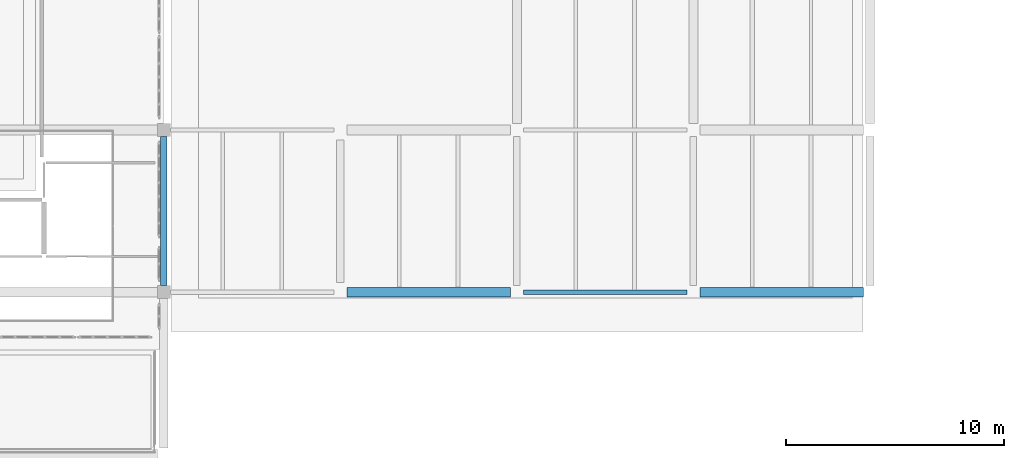
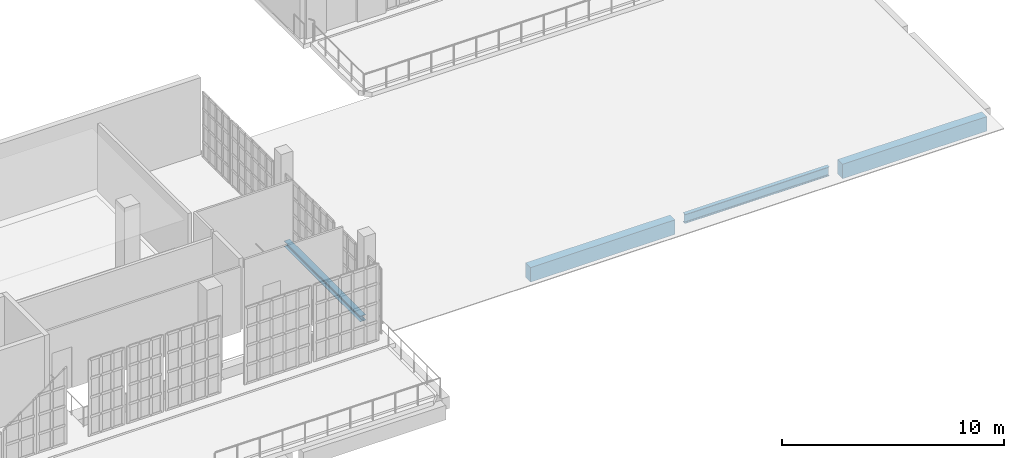
# One storey, part 15 of 56: 4 beams.
"""IFC4 building model written with IfcOpenShell, lengths in metres."""

from ifc_helpers import new_model, si_unit, direction, frame, origin, origin_2d, place, context, subcontext, project, spatial, rectangle, i_section, extrude, material, material_profile, profile_set, type_object, element, save


model = new_model("IFC4")

# Units and contexts
model_context = context("Model", 3, precision=1e-05, world=origin(), true_north=direction((0.0, 1.0)))
body_context = subcontext(model_context, "Body", "Model", "MODEL_VIEW")
ifc_project = project(units=[si_unit("LENGTHUNIT", "METRE"), si_unit("AREAUNIT", "SQUARE_METRE"), si_unit("VOLUMEUNIT", "CUBIC_METRE"), si_unit("PLANEANGLEUNIT", "RADIAN"), si_unit("MASSUNIT", "GRAM", prefix="KILO")], contexts=[model_context])

# Site, building, storey
site_placement = place(None, origin())
site = spatial("IfcSite", under=ifc_project, at=site_placement, CompositionType="ELEMENT")
building_placement = place(site_placement, origin())
building = spatial("IfcBuilding", under=site, at=building_placement, Name="Kaelora Sail Theatre", CompositionType="ELEMENT")
storey_placement = place(building_placement, frame((0.0, 0.0, 14.699951171875)))
storey = spatial("IfcBuildingStorey", under=building, at=storey_placement, Name="L03", CompositionType="ELEMENT", Elevation=14.699951171875)

# Beams
ifc_material_1 = material(Name="Steel S355", Category="steel")
ifc_material_profile_1 = material_profile(ifc_material_1, i_section(OverallWidth=0.300048828125, OverallDepth=0.31005859375, WebThickness=0.009033203125, FlangeThickness=0.015380859375, FilletRadius=0.027099609375, at=origin_2d()), Name="HEA 320")
ifc_profile_set_1 = profile_set([ifc_material_profile_1], Name="Steel S355")
beam_type_1 = type_object("IfcBeamType", Name="STR-BM-BM-HEA320", PredefinedType="BEAM", material=ifc_profile_set_1)
beam_1_placement = place(storey_placement, frame((90.60009765625, 68.760009765625, -0.429931640625), z_axis=(0.0, 1.0, 0.0), x_axis=(-1.0, 0.0, 0.0)))
element("IfcBeam", 1, at=beam_1_placement, inside=storey, type_object=beam_type_1, Name="Primary beam 12 J-K (L03)", PredefinedType="BEAM", context=body_context, shape_type="SweptSolid", body=[
    extrude(i_section(OverallWidth=0.300048828125, OverallDepth=0.31005859375, WebThickness=0.009033203125, FlangeThickness=0.015380859375, FilletRadius=0.027099609375, at=origin_2d()), origin(), (0.0, 0.0, 1.0), 6.840087890625),
])
ifc_material_2 = material(Name="Steel S355", Category="steel")
ifc_material_profile_2 = material_profile(ifc_material_2, i_section(OverallWidth=0.199951171875, OverallDepth=0.5, WebThickness=0.01025390625, FlangeThickness=0.01611328125, FilletRadius=0.02099609375, at=origin_2d()), Name="IPE 500")
ifc_profile_set_2 = profile_set([ifc_material_profile_2], Name="Steel S355")
beam_type_2 = type_object("IfcBeamType", Name="STR-BM-BM-IPE500", PredefinedType="BEAM", material=ifc_profile_set_2)
beam_2_placement = place(storey_placement, frame((107.10009765625, 68.4599609375, -0.52490234375), z_axis=(1.0, 0.0, 0.0), x_axis=(0.0, 1.0, 0.0)))
element("IfcBeam", 2, at=beam_2_placement, inside=storey, type_object=beam_type_2, Name="Primary beam J 14-15 (L03)", PredefinedType="BEAM", context=body_context, shape_type="SweptSolid", body=[
    extrude(i_section(OverallWidth=0.199951171875, OverallDepth=0.5, WebThickness=0.01025390625, FlangeThickness=0.01611328125, FilletRadius=0.02099609375, at=origin_2d()), origin(), (0.0, 0.0, 1.0), 7.5),
])
ifc_material_3 = material(Name="Concrete C45/55", Category="concrete")
ifc_material_profile_3 = material_profile(ifc_material_3, rectangle(XDim=0.449951171875, YDim=0.800048828125, at=origin_2d()), Name="RC-BM 450x800")
ifc_profile_set_3 = profile_set([ifc_material_profile_3], Name="Concrete C45/55")
beam_type_3 = type_object("IfcBeamType", Name="STR-BM-BM-RC4580", PredefinedType="BEAM", material=ifc_profile_set_3)
for number, where, z_axis, x_axis, name in (
    (3, (99.0, 68.4599609375, -0.675048828125), (1.0, 0.0, 0.0), (0.0, 1.0, 0.0), "Primary beam J 13-14 (L03)"),
    (4, (115.199951171875, 68.4599609375, -0.675048828125), (1.0, 0.0, 0.0), (0.0, 1.0, 0.0), "Primary beam J 15-16 (L03)"),
):
    element("IfcBeam", number, at=place(storey_placement, frame(where, z_axis=z_axis, x_axis=x_axis)), inside=storey, type_object=beam_type_3, Name=name, PredefinedType="BEAM", context=body_context, shape_type="SweptSolid", body=[
        extrude(rectangle(XDim=0.449951171875, YDim=0.800048828125, at=origin_2d()), origin(), (0.0, 0.0, 1.0), 7.5),
    ])

save(model, "model.ifc")
